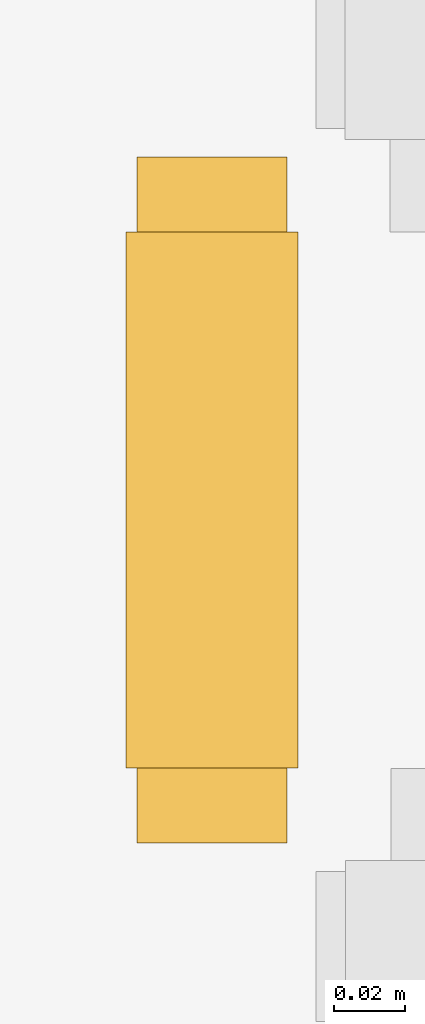
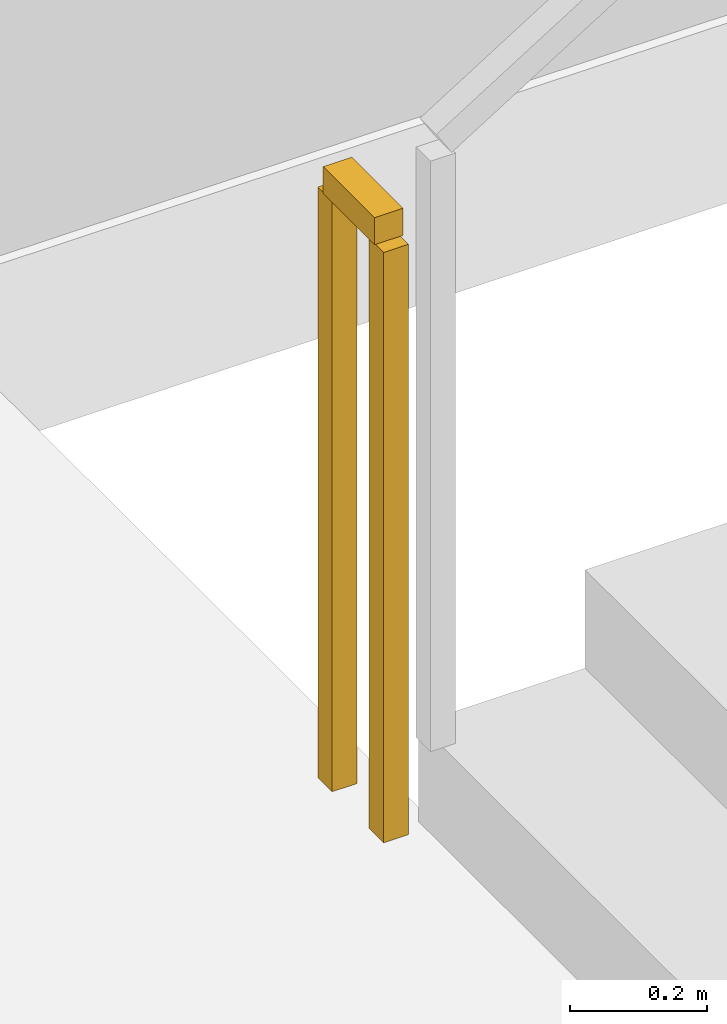
# One storey, part 10 of 14: 1 railing.
"""IFC4 building model written with IfcOpenShell, lengths in metres."""

from ifc_helpers import new_model, si_unit, direction, frame, origin, origin_2d, place, context, subcontext, project, spatial, rectangle, extrude, material, type_object, element, save


model = new_model("IFC4")

# Units and contexts
model_context = context("Model", 3, precision=1e-05, world=origin(), true_north=direction((0.0, 1.0)))
body_context = subcontext(model_context, "Body", "Model", "MODEL_VIEW")
ifc_project = project(units=[si_unit("LENGTHUNIT", "METRE"), si_unit("AREAUNIT", "SQUARE_METRE"), si_unit("VOLUMEUNIT", "CUBIC_METRE"), si_unit("PLANEANGLEUNIT", "RADIAN"), si_unit("MASSUNIT", "GRAM", prefix="KILO")], contexts=[model_context])

# Site, building, storey
site_placement = place(None, origin())
site = spatial("IfcSite", under=ifc_project, at=site_placement, CompositionType="ELEMENT")
building_placement = place(site_placement, origin())
building = spatial("IfcBuilding", under=site, at=building_placement, Name="Norrkilde Senior Care Towers", CompositionType="ELEMENT")
storey_placement = place(building_placement, frame((0.0, 0.0, -4.199951171875)))
storey = spatial("IfcBuildingStorey", under=building, at=storey_placement, Name="B1", CompositionType="ELEMENT", Elevation=-4.199951171875)

# Railing
ifc_material = material(Name="Stainless Steel", Category="steel")
railing_type = type_object("IfcRailingType", Name="Stair and Terrace Guardrail 1100", PredefinedType="GUARDRAIL", material=ifc_material)
railing_placement = place(storey_placement, frame((8.75, -15.39990234375, 0.0)))
element("IfcRailing", 1, at=railing_placement, inside=storey, type_object=railing_type, Name="B1 ST-P2 stair guard 4", PredefinedType="GUARDRAIL", context=body_context, shape_type="SweptSolid", body=[
    extrude(rectangle(XDim=0.048095703125, YDim=0.048095703125, at=origin_2d()), frame((0.0, 0.0, 1.076171875), z_axis=(0.0, 1.0, 0.0), x_axis=(-1.0, 0.0, 0.0)), (0.0, 0.0, 1.0), 0.14990234375),
    extrude(rectangle(XDim=0.0419921875, YDim=0.0419921875, at=origin_2d()), origin(), (0.0, 0.0, 1.0), 1.050048828125),
    extrude(rectangle(XDim=0.0419921875, YDim=0.0419921875, at=origin_2d()), frame((0.0, 0.14990234375, 0.0)), (0.0, 0.0, 1.0), 1.050048828125),
])

save(model, "model.ifc")
